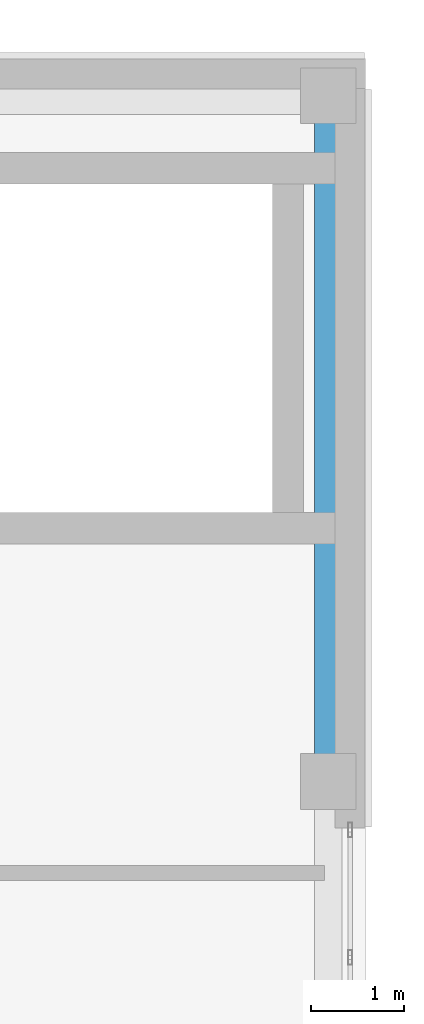
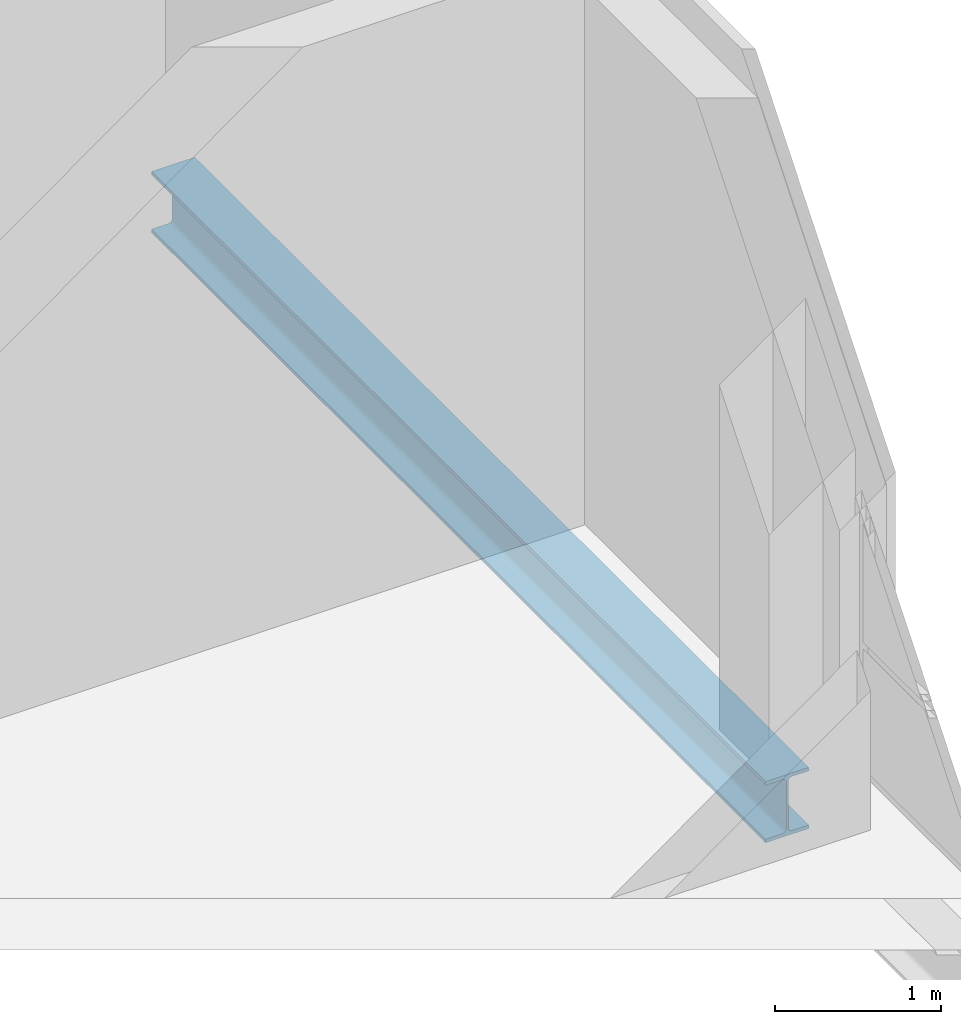
# One storey, part 13 of 19: 1 beam.
"""IFC4 building model written with IfcOpenShell, lengths in metres."""

from ifc_helpers import new_model, si_unit, direction, frame, origin, origin_2d, place, context, subcontext, project, spatial, i_section, extrude, material, material_profile, profile_set, type_object, element, save


model = new_model("IFC4")

# Units and contexts
model_context = context("Model", 3, precision=1e-05, world=origin(), true_north=direction((0.0, 1.0)))
body_context = subcontext(model_context, "Body", "Model", "MODEL_VIEW")
ifc_project = project(units=[si_unit("LENGTHUNIT", "METRE"), si_unit("AREAUNIT", "SQUARE_METRE"), si_unit("VOLUMEUNIT", "CUBIC_METRE"), si_unit("PLANEANGLEUNIT", "RADIAN"), si_unit("MASSUNIT", "GRAM", prefix="KILO")], contexts=[model_context])

# Site, building, storey
site_placement = place(None, origin())
site = spatial("IfcSite", under=ifc_project, at=site_placement, CompositionType="ELEMENT")
building_placement = place(site_placement, origin())
building = spatial("IfcBuilding", under=site, at=building_placement, Name="Qalavern Law Courts", CompositionType="ELEMENT")
storey_placement = place(building_placement, frame((0.0, 0.0, 39.60009765625)))
storey = spatial("IfcBuildingStorey", under=building, at=storey_placement, Name="L09", CompositionType="ELEMENT", Elevation=39.60009765625)

# Beam
ifc_material = material(Name="Steel S355", Category="steel")
ifc_material_profile = material_profile(ifc_material, i_section(OverallWidth=0.300048828125, OverallDepth=0.449951171875, WebThickness=0.013916015625, FlangeThickness=0.02587890625, FilletRadius=0.027099609375, at=origin_2d()), Name="HEB 450")
ifc_profile_set = profile_set([ifc_material_profile], Name="Steel S355")
beam_type = type_object("IfcBeamType", Name="STR-SP-HEB450", PredefinedType="SPANDREL", material=ifc_profile_set)
beam_placement = place(storey_placement, frame((106.39990234375, 65.39990234375, -0.47998046875), z_axis=(0.0, 1.0, 0.0), x_axis=(-1.0, 0.0, 0.0)))
element("IfcBeam", 1, at=beam_placement, inside=storey, type_object=beam_type, Name="V4 Y-beam 3-4 L09", PredefinedType="SPANDREL", context=body_context, shape_type="SweptSolid", body=[
    extrude(i_section(OverallWidth=0.300048828125, OverallDepth=0.449951171875, WebThickness=0.013916015625, FlangeThickness=0.02587890625, FilletRadius=0.027099609375, at=origin_2d()), origin(), (0.0, 0.0, 1.0), 7.400146484375),
])

save(model, "model.ifc")
